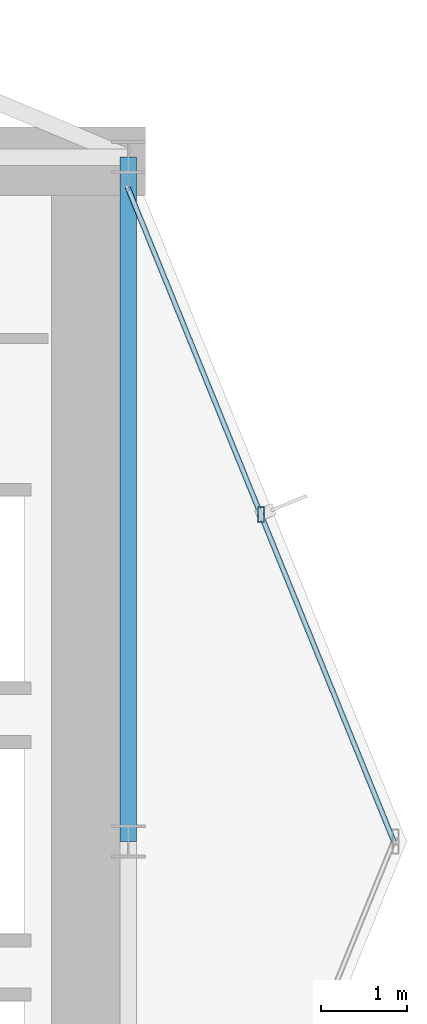
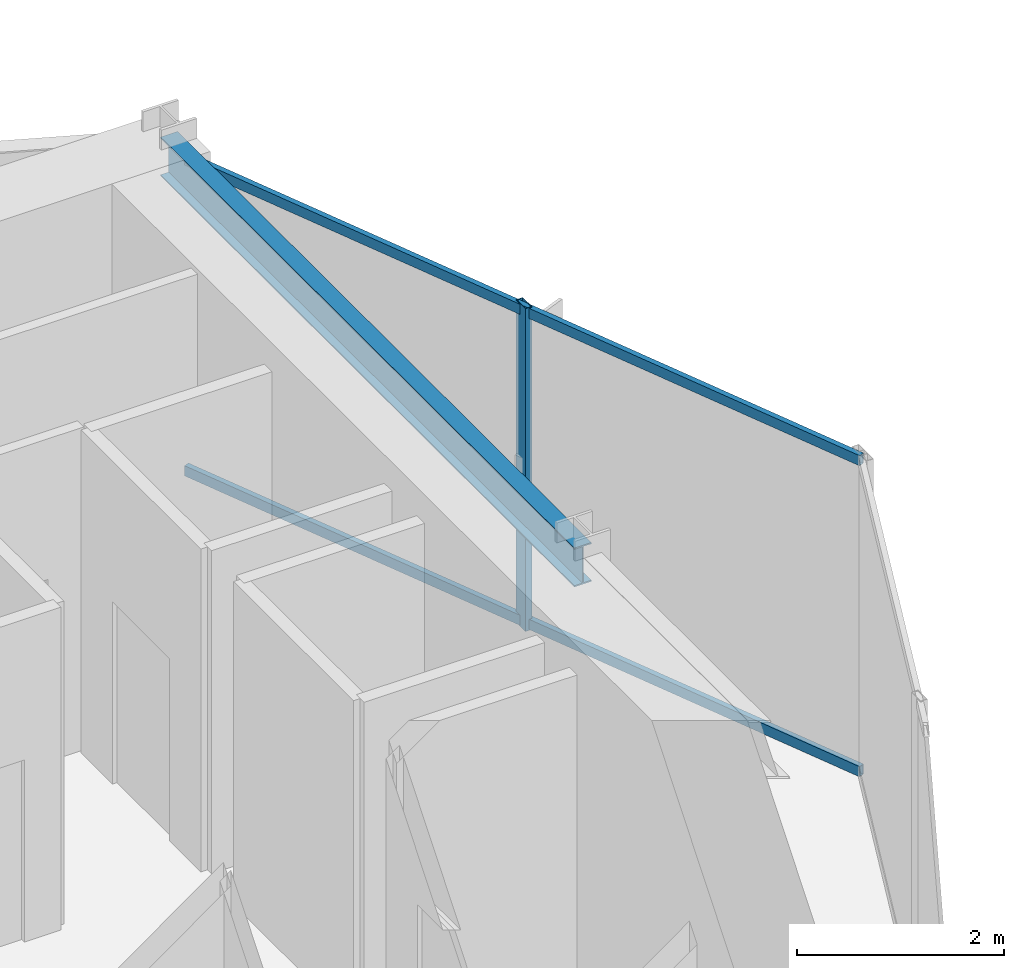
# One storey, part 15 of 26: 3 members, 1 beam, 1 element without a shape of its own.
"""IFC4 building model written with IfcOpenShell, lengths in metres."""

from ifc_helpers import new_model, si_unit, direction, frame, origin, origin_2d, place, context, subcontext, project, spatial, hollow_rectangle, i_section, extrude, material, layer, layer_set, material_profile, profile_set, type_object, element, aggregate, save


model = new_model("IFC4")

# Units and contexts
model_context = context("Model", 3, precision=1e-05, world=origin(), true_north=direction((0.0, 1.0)))
body_context = subcontext(model_context, "Body", "Model", "MODEL_VIEW")
ifc_project = project(units=[si_unit("LENGTHUNIT", "METRE"), si_unit("AREAUNIT", "SQUARE_METRE"), si_unit("VOLUMEUNIT", "CUBIC_METRE"), si_unit("PLANEANGLEUNIT", "RADIAN"), si_unit("MASSUNIT", "GRAM", prefix="KILO")], contexts=[model_context])

# Site, building, storey
site_placement = place(None, origin())
site = spatial("IfcSite", under=ifc_project, at=site_placement, CompositionType="ELEMENT")
building_placement = place(site_placement, origin())
building = spatial("IfcBuilding", under=site, at=building_placement, Name="Veymaron Broadcast Tower", CompositionType="ELEMENT")
storey_placement = place(building_placement, frame((0.0, 0.0, 133.050048828125)))
storey = spatial("IfcBuildingStorey", under=building, at=storey_placement, Name="L30", CompositionType="ELEMENT", Elevation=133.050048828125)

# Beam
ifc_material_1 = material(Name="Structural steel ASTM A992 Gr 50", Category="steel")
ifc_material_profile_1 = material_profile(ifc_material_1, i_section(OverallWidth=0.19091796875, OverallDepth=0.4599609375, WebThickness=0.010009765625, FlangeThickness=0.01611328125, at=origin_2d()), Name="W460X82")
ifc_profile_set_1 = profile_set([ifc_material_profile_1], Name="Structural steel ASTM A992 Gr 50")
beam_type = type_object("IfcBeamType", Name="BM-SP1", PredefinedType="SPANDREL", material=ifc_profile_set_1)
beam_placement = place(storey_placement, frame((54.60009765625, 24.0, 3.579833984375), z_axis=(0.0, 1.0, 0.0), x_axis=(-1.0, 0.0, 0.0)))
element("IfcBeam", 1, at=beam_placement, inside=storey, type_object=beam_type, Name="L30 primary structural floor girder", PredefinedType="SPANDREL", context=body_context, shape_type="SweptSolid", body=[
    extrude(i_section(OverallWidth=0.19091796875, OverallDepth=0.4599609375, WebThickness=0.010009765625, FlangeThickness=0.01611328125, at=origin_2d()), origin(), (0.0, 0.0, 1.0), 8.0),
])

# Curtain wall, members
ifc_material_2 = material(Name="Anodised aluminium AA 6063-T6 and laminated low-E dark glass", Category="aluminium")
ifc_layer = layer(ifc_material_2, 0.179931640625)
ifc_layer_set = layer_set([ifc_layer], Name="Anodised aluminium AA 6063-T6 and laminated low-E dark glass")
curtain_wall_type = type_object("IfcCurtainWallType", Name="CW-SYS-03", PredefinedType="NOTDEFINED", material=ifc_layer_set)
curtain_wall_placement = place(storey_placement, origin())
curtain_wall = element("IfcCurtainWall", 2, at=curtain_wall_placement, inside=storey, type_object=curtain_wall_type, Name="L30 dark-glass curtain wall CW-L30-E3-1", PredefinedType="NOTDEFINED")
ifc_material_3 = material(Name="Anodised aluminium AA 6063-T6", Category="aluminium")
ifc_material_profile_2 = material_profile(ifc_material_3, hollow_rectangle(XDim=0.074951171875, YDim=0.179931640625, WallThickness=0.0048828125, at=origin_2d()), Name="AL180X75X5")
ifc_profile_set_2 = profile_set([ifc_material_profile_2], Name="Anodised aluminium AA 6063-T6")
member_type_1 = type_object("IfcMemberType", Name="CW-MUL-02", PredefinedType="MULLION", material=ifc_profile_set_2)
member_1_placement = place(storey_placement, frame((56.149169921875, 27.821044921875, 0.0), z_axis=(0.0, 0.0, 1.0), x_axis=(1.0, 0.0, 0.0)))
member_1 = element("IfcMember", 3, at=member_1_placement, type_object=member_type_1, Name="CW-L30-E3-1 mullion 1", PredefinedType="MULLION", context=body_context, shape_type="SweptSolid", body=[
    extrude(hollow_rectangle(XDim=0.074951171875, YDim=0.179931640625, WallThickness=0.0048828125, at=origin_2d()), origin(), (0.0, 0.0, 1.0), 3.81005859375),
])
ifc_material_profile_3 = material_profile(ifc_material_3, hollow_rectangle(XDim=0.06005859375, YDim=0.1201171875, WallThickness=0.00390625, at=origin_2d()), Name="AL120X60X4")
ifc_profile_set_3 = profile_set([ifc_material_profile_3], Name="Anodised aluminium AA 6063-T6")
member_type_2 = type_object("IfcMemberType", Name="CW-TRN-02", PredefinedType="USERDEFINED", material=ifc_profile_set_3)
member_2_placement = place(storey_placement, frame((57.70654296875, 23.993408203125, 0.070068359375), z_axis=(-0.376874596189, 0.926264292061, 0.0), x_axis=(-0.926264292061, -0.376874596189, 0.0)))
member_2 = element("IfcMember", 4, at=member_2_placement, type_object=member_type_2, Name="CW-L30-E3-1 transom B", ObjectType="TRANSOM", PredefinedType="USERDEFINED", context=body_context, shape_type="SweptSolid", body=[
    extrude(hollow_rectangle(XDim=0.06005859375, YDim=0.1201171875, WallThickness=0.00390625, at=origin_2d()), origin(), (0.0, 0.0, 1.0), 8.2646484375),
])
member_3_placement = place(storey_placement, frame((57.70654296875, 23.993408203125, 3.739990234375), z_axis=(-0.376874596189, 0.926264292061, 0.0), x_axis=(-0.926264292061, -0.376874596189, 0.0)))
member_3 = element("IfcMember", 5, at=member_3_placement, type_object=member_type_2, Name="CW-L30-E3-1 transom T", ObjectType="TRANSOM", PredefinedType="USERDEFINED", context=body_context, shape_type="SweptSolid", body=[
    extrude(hollow_rectangle(XDim=0.06005859375, YDim=0.1201171875, WallThickness=0.00390625, at=origin_2d()), origin(), (0.0, 0.0, 1.0), 8.2646484375),
])
aggregate(curtain_wall, [member_1, member_2, member_3])

save(model, "model.ifc")
